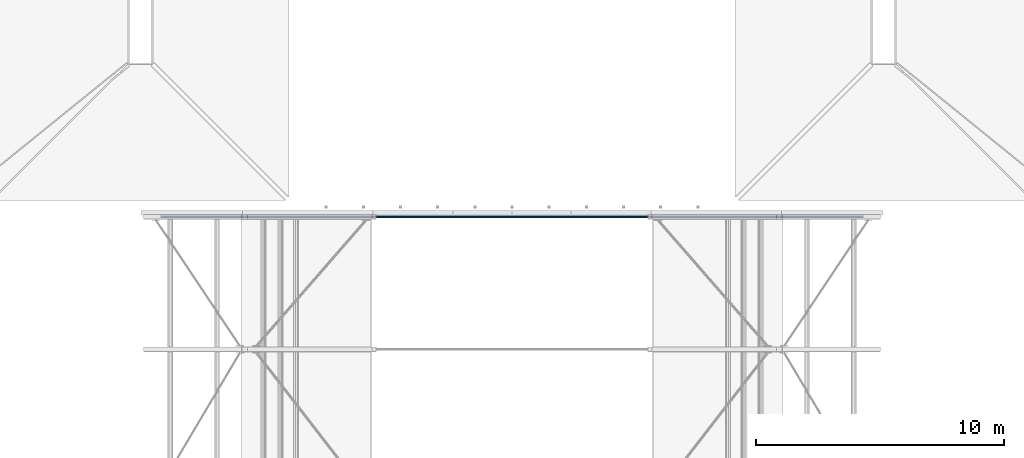
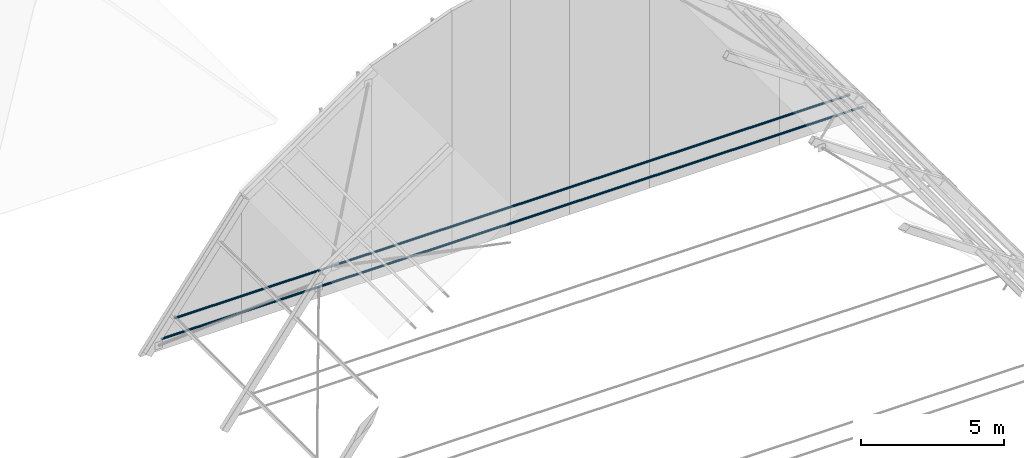
# One storey, part 9 of 43: 2 members.
"""IFC4 building model written with IfcOpenShell, lengths in metres."""

from ifc_helpers import new_model, si_unit, direction, frame, origin, origin_2d, place, context, subcontext, project, spatial, hollow_circle, extrude, material, material_profile, profile_set, type_object, element, save


model = new_model("IFC4")

# Units and contexts
model_context = context("Model", 3, precision=1e-05, world=origin(), true_north=direction((0.0, 1.0)))
body_context = subcontext(model_context, "Body", "Model", "MODEL_VIEW")
ifc_project = project(units=[si_unit("LENGTHUNIT", "METRE"), si_unit("AREAUNIT", "SQUARE_METRE"), si_unit("VOLUMEUNIT", "CUBIC_METRE"), si_unit("PLANEANGLEUNIT", "RADIAN"), si_unit("MASSUNIT", "GRAM", prefix="KILO")], contexts=[model_context])

# Site, building, storey
site_placement = place(None, origin())
site = spatial("IfcSite", under=ifc_project, at=site_placement, CompositionType="ELEMENT")
building_placement = place(site_placement, origin())
building = spatial("IfcBuilding", under=site, at=building_placement, Name="Saffron Lane Theatres", CompositionType="ELEMENT")
storey_placement = place(building_placement, frame((0.0, 0.0, 23.0)))
storey = spatial("IfcBuildingStorey", under=building, at=storey_placement, Name="Roof", CompositionType="ELEMENT", Elevation=23.0)

# Members
ifc_material = material(Name="Steel Grade 350", Category="steel")
ifc_material_profile = material_profile(ifc_material, hollow_circle(Radius=0.04443359375, WallThickness=0.005859375, at=origin_2d()))
ifc_profile_set = profile_set([ifc_material_profile], Name="Steel Grade 350")
member_type = type_object("IfcMemberType", Name="ST-VAULT TIE 88.9x5.9 CHS", PredefinedType="USERDEFINED", material=ifc_profile_set)
member_1_placement = place(storey_placement, frame((18.812744140625, 89.35009765625, -1.449951171875), z_axis=(1.0, 0.0, 0.0), x_axis=(0.0, 1.0, 0.0)))
element("IfcMember", 1, at=member_1_placement, inside=storey, type_object=member_type, Name="VT7-1", ObjectType="TIE ROD", PredefinedType="USERDEFINED", context=body_context, shape_type="SweptSolid", body=[
    extrude(hollow_circle(Radius=0.04443359375, WallThickness=0.005859375, at=origin_2d()), origin(), (0.0, 0.0, 1.0), 28.37451171875),
])
member_2_placement = place(storey_placement, frame((19.333740234375, 89.35009765625, -0.75), z_axis=(1.0, 0.0, 0.0), x_axis=(0.0, 1.0, 0.0)))
element("IfcMember", 2, at=member_2_placement, inside=storey, type_object=member_type, Name="VT7-2", ObjectType="TIE ROD", PredefinedType="USERDEFINED", context=body_context, shape_type="SweptSolid", body=[
    extrude(hollow_circle(Radius=0.04443359375, WallThickness=0.005859375, at=origin_2d()), origin(), (0.0, 0.0, 1.0), 27.33251953125),
])

save(model, "model.ifc")
